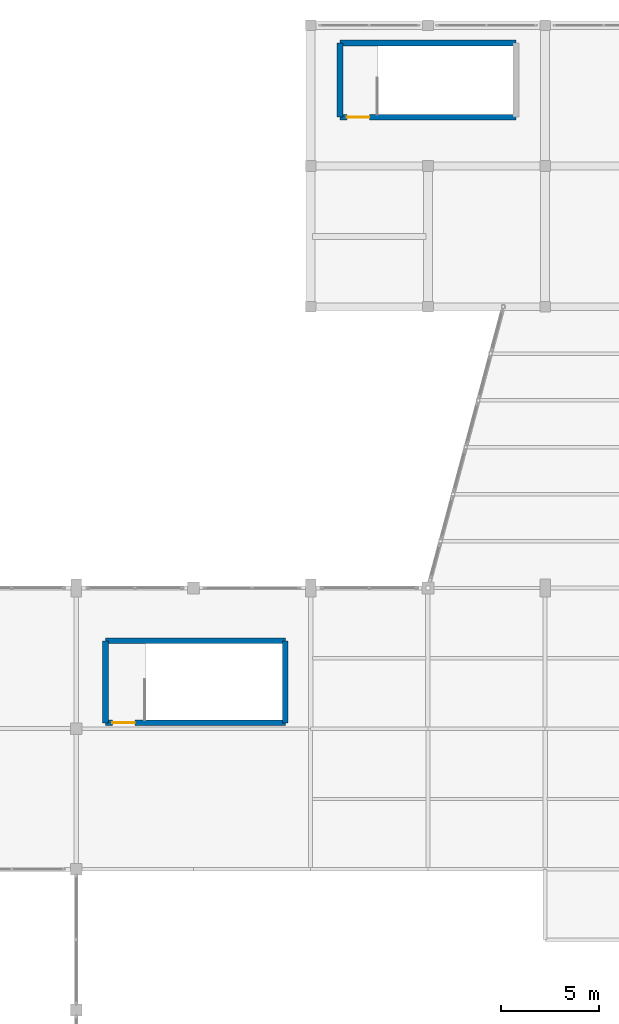
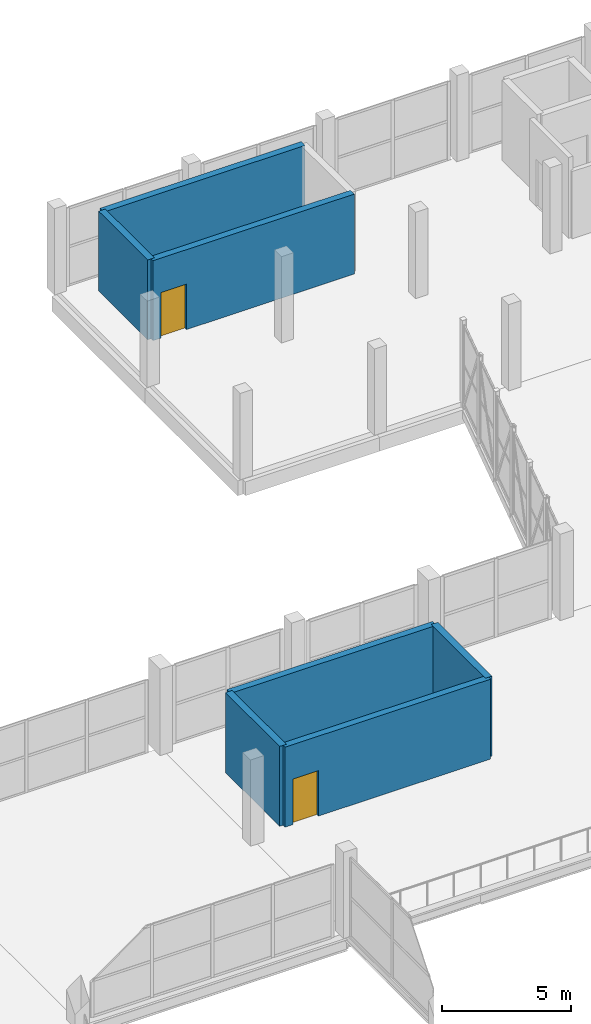
# One storey, part 110 of 127: 7 walls, 2 doors, 2 openings.
"""IFC4 building model written with IfcOpenShell, lengths in metres."""

from ifc_helpers import new_model, si_unit, direction, frame, frame_2d, origin, place, context, subcontext, project, spatial, rectangle, extrude, material, layer, layer_set, type_object, element, fill, save


model = new_model("IFC4")

# Units and contexts
model_context = context("Model", 3, precision=1e-05, world=origin(), true_north=direction((0.0, 1.0)))
body_context = subcontext(model_context, "Body", "Model", "MODEL_VIEW")
ifc_project = project(units=[si_unit("LENGTHUNIT", "METRE"), si_unit("AREAUNIT", "SQUARE_METRE"), si_unit("VOLUMEUNIT", "CUBIC_METRE"), si_unit("PLANEANGLEUNIT", "RADIAN"), si_unit("MASSUNIT", "GRAM", prefix="KILO")], contexts=[model_context])

# Site, building, storey
site_placement = place(None, origin())
site = spatial("IfcSite", under=ifc_project, at=site_placement, CompositionType="ELEMENT")
building_placement = place(site_placement, origin())
building = spatial("IfcBuilding", under=site, at=building_placement, Name="Dunvalen Ferry Terminal", CompositionType="ELEMENT")
storey_placement = place(building_placement, frame((0.0, 0.0, 5.760009765625)))
storey = spatial("IfcBuildingStorey", under=building, at=storey_placement, Name="L01", CompositionType="ELEMENT", Elevation=5.760009765625)

# Walls
ifc_material_1 = material(Name="Concrete C40/50", Category="concrete")
ifc_layer = layer(ifc_material_1, 0.300048828125, Name="Concrete C40/50")
ifc_layer_set = layer_set([ifc_layer], Name="Concrete C40/50")
wall_type = type_object("IfcWallType", Name="STR-WL-SHR300", PredefinedType="SHEAR", material=ifc_layer_set)
for number, where, z_axis, x_axis, name in (
    (1, (109.5, 79.5, 0.0), (0.0, 0.0, 1.0), (0.0, 1.0, 0.0), "L01 ST10 Core West Shear Wall"),
    (2, (118.699951171875, 79.5, 0.0), (0.0, 0.0, 1.0), (0.0, 1.0, 0.0), "L01 ST10 Core East Shear Wall"),
):
    element("IfcWall", number, at=place(storey_placement, frame(where, z_axis=z_axis, x_axis=x_axis)), inside=storey, type_object=wall_type, Name=name, PredefinedType="SHEAR", context=body_context, shape_type="SweptSolid", body=[
        extrude(rectangle(XDim=4.199951171875, YDim=0.300048828125, at=frame_2d((2.10009765625, 0.0))), origin(), (0.0, 0.0, 1.0), 3.780029296875),
    ])
wall_1_placement = place(storey_placement, frame((121.5, 110.5, 0.0), z_axis=(0.0, 0.0, 1.0), x_axis=(0.0, 1.0, 0.0)))
element("IfcWall", 3, at=wall_1_placement, inside=storey, type_object=wall_type, Name="L01 ST12 Core West Shear Wall", PredefinedType="SHEAR", context=body_context, shape_type="SweptSolid", body=[
    extrude(rectangle(XDim=3.800048828125, YDim=0.300048828125, at=frame_2d((1.89990234375, 0.0))), origin(), (0.0, 0.0, 1.0), 3.780029296875),
])
wall_2_placement = place(storey_placement, frame((109.5, 83.699951171875, 0.0), z_axis=(0.0, 0.0, 1.0), x_axis=(1.0, 0.0, 0.0)))
element("IfcWall", 4, at=wall_2_placement, inside=storey, type_object=wall_type, Name="L01 ST10 Core North Shear Wall", PredefinedType="SHEAR", context=body_context, shape_type="SweptSolid", body=[
    extrude(rectangle(XDim=9.199951171875, YDim=0.300048828125, at=frame_2d((4.60009765625, 0.0))), origin(), (0.0, 0.0, 1.0), 3.780029296875),
])

# Wall, opening, door
wall_3_placement = place(storey_placement, frame((109.5, 79.5, 0.0), z_axis=(0.0, 0.0, 1.0), x_axis=(1.0, 0.0, 0.0)))
wall_3 = element("IfcWall", 5, at=wall_3_placement, inside=storey, type_object=wall_type, Name="L01 ST10 Core South Shear Wall", PredefinedType="SHEAR", context=body_context, shape_type="SweptSolid", body=[
    extrude(rectangle(XDim=9.199951171875, YDim=0.300048828125, at=frame_2d((4.60009765625, 0.0))), origin(), (0.0, 0.0, 1.0), 3.780029296875),
])
opening_1_placement = place(wall_3_placement, frame((0.35009765625, 0.0, 0.0)))
opening_1 = element("IfcOpeningElement", 6, at=opening_1_placement, cuts=wall_3, Name="Opening ID-02", PredefinedType="OPENING", context=body_context, shape_type="SweptSolid", body=[
    extrude(rectangle(XDim=1.14990234375, YDim=2.14990234375, at=frame_2d((0.574951171875, 1.074951171875))), frame((0.0, 0.16015625, 0.0), z_axis=(0.0, -1.0, 0.0), x_axis=(1.0, 0.0, 0.0)), (0.0, 0.0, 1.0), 0.320068359375),
])
ifc_material_2 = material(Name="Powder-coated steel fire door", Category="steel")
door_type = type_object("IfcDoorType", Name="INT-DR-STR-1150", OperationType="NOTDEFINED", PredefinedType="DOOR", material=ifc_material_2)
door_1_placement = place(opening_1_placement, frame((1.14990234375, 0.0, 0.0), z_axis=(0.0, 0.0, 1.0), x_axis=(-1.0, 0.0, 0.0)))
door_1 = element("IfcDoor", 7, at=door_1_placement, inside=storey, type_object=door_type, Name="L01 ST10 Escape Stair Fire Door", OperationType="SINGLE_SWING_LEFT", OverallHeight=2.14990234375, OverallWidth=1.14990234375, PredefinedType="DOOR", context=body_context, shape_type="SweptSolid", body=[
    extrude(rectangle(XDim=1.14990234375, YDim=2.14990234375, at=frame_2d((0.574951171875, 1.074951171875))), frame((0.0, 0.02490234375, 0.0), z_axis=(0.0, -1.0, 0.0), x_axis=(1.0, 0.0, 0.0)), (0.0, 0.0, 1.0), 0.050048828125),
])
fill(opening_1, door_1)

# Wall
wall_4_placement = place(storey_placement, frame((121.5, 114.300048828125, 0.0), z_axis=(0.0, 0.0, 1.0), x_axis=(1.0, 0.0, 0.0)))
element("IfcWall", 8, at=wall_4_placement, inside=storey, type_object=wall_type, Name="L01 ST12 Core North Shear Wall", PredefinedType="SHEAR", context=body_context, shape_type="SweptSolid", body=[
    extrude(rectangle(XDim=9.0, YDim=0.300048828125, at=frame_2d((4.5, 0.0))), origin(), (0.0, 0.0, 1.0), 3.780029296875),
])

# Wall, opening, door
wall_5_placement = place(storey_placement, frame((121.5, 110.5, 0.0), z_axis=(0.0, 0.0, 1.0), x_axis=(1.0, 0.0, 0.0)))
wall_5 = element("IfcWall", 9, at=wall_5_placement, inside=storey, type_object=wall_type, Name="L01 ST12 Core South Shear Wall", PredefinedType="SHEAR", context=body_context, shape_type="SweptSolid", body=[
    extrude(rectangle(XDim=9.0, YDim=0.300048828125, at=frame_2d((4.5, 0.0))), origin(), (0.0, 0.0, 1.0), 3.780029296875),
])
opening_2_placement = place(wall_5_placement, frame((0.35009765625, 0.0, 0.0)))
opening_2 = element("IfcOpeningElement", 10, at=opening_2_placement, cuts=wall_5, Name="Opening ID-02", PredefinedType="OPENING", context=body_context, shape_type="SweptSolid", body=[
    extrude(rectangle(XDim=1.14990234375, YDim=2.14990234375, at=frame_2d((0.574951171875, 1.074951171875))), frame((0.0, 0.16015625, 0.0), z_axis=(0.0, -1.0, 0.0), x_axis=(1.0, 0.0, 0.0)), (0.0, 0.0, 1.0), 0.320068359375),
])
door_2_placement = place(opening_2_placement, frame((1.14990234375, 0.0, 0.0), z_axis=(0.0, 0.0, 1.0), x_axis=(-1.0, 0.0, 0.0)))
door_2 = element("IfcDoor", 11, at=door_2_placement, inside=storey, type_object=door_type, Name="L01 ST12 Escape Stair Fire Door", OperationType="SINGLE_SWING_LEFT", OverallHeight=2.14990234375, OverallWidth=1.14990234375, PredefinedType="DOOR", context=body_context, shape_type="SweptSolid", body=[
    extrude(rectangle(XDim=1.14990234375, YDim=2.14990234375, at=frame_2d((0.574951171875, 1.074951171875))), frame((0.0, 0.02490234375, 0.0), z_axis=(0.0, -1.0, 0.0), x_axis=(1.0, 0.0, 0.0)), (0.0, 0.0, 1.0), 0.050048828125),
])
fill(opening_2, door_2)

save(model, "model.ifc")
